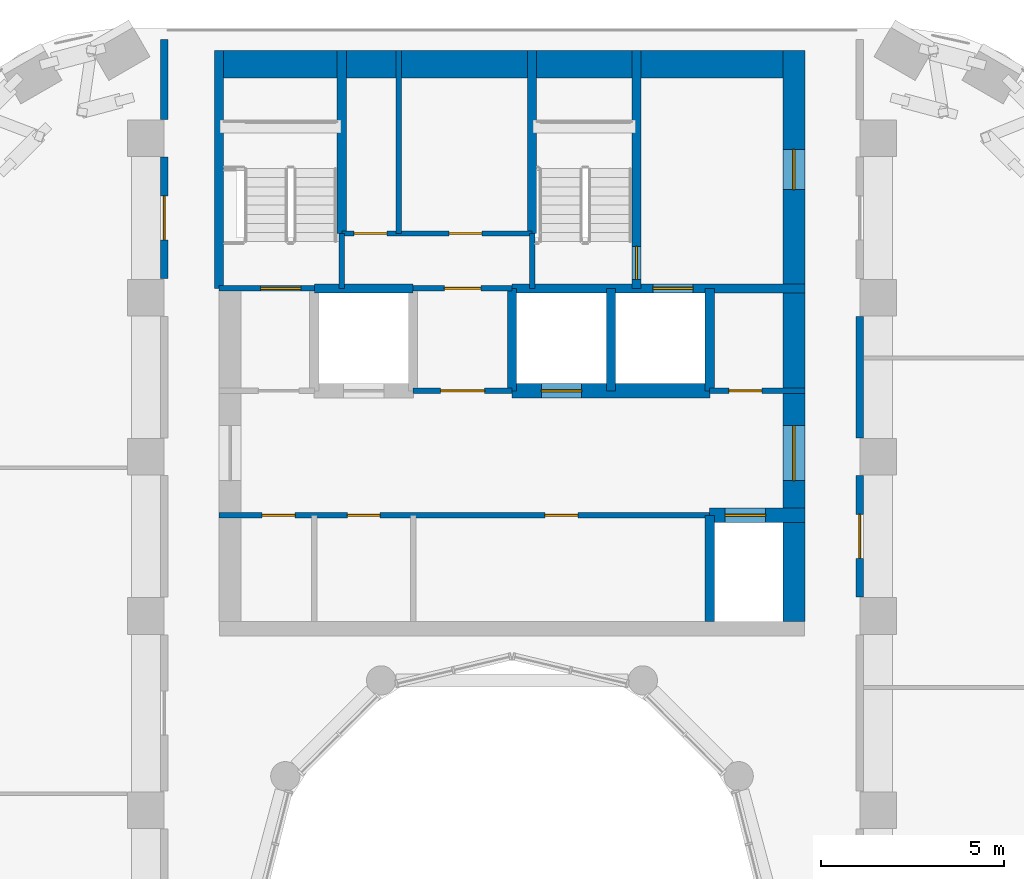
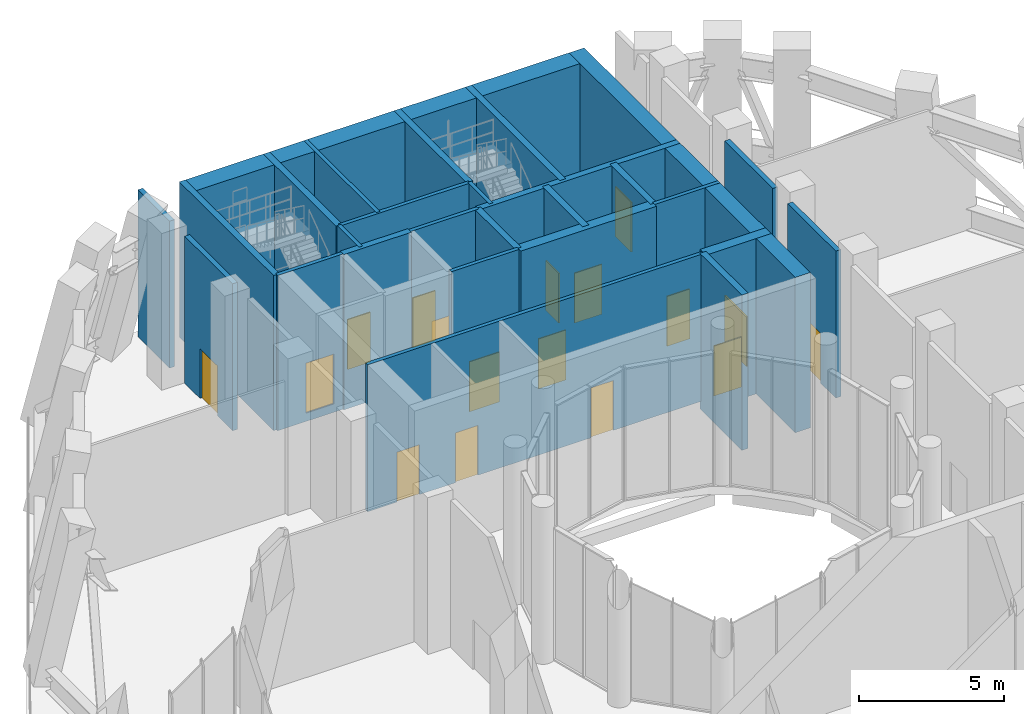
# One storey, part 10 of 19: 27 walls, 17 doors, 17 openings.
"""IFC4 building model written with IfcOpenShell, lengths in metres."""

from ifc_helpers import new_model, si_unit, direction, frame, frame_2d, origin, place, context, subcontext, project, spatial, rectangle, extrude, material, layer, layer_set, type_object, element, fill, save


model = new_model("IFC4")

# Units and contexts
model_context = context("Model", 3, precision=1e-05, world=origin(), true_north=direction((0.0, 1.0)))
body_context = subcontext(model_context, "Body", "Model", "MODEL_VIEW")
ifc_project = project(units=[si_unit("LENGTHUNIT", "METRE"), si_unit("AREAUNIT", "SQUARE_METRE"), si_unit("VOLUMEUNIT", "CUBIC_METRE"), si_unit("PLANEANGLEUNIT", "RADIAN"), si_unit("MASSUNIT", "GRAM", prefix="KILO")], contexts=[model_context])

# Site, building, storey
site_placement = place(None, origin())
site = spatial("IfcSite", under=ifc_project, at=site_placement, CompositionType="ELEMENT")
building_placement = place(site_placement, origin())
building = spatial("IfcBuilding", under=site, at=building_placement, Name="Nakaniwa Court", CompositionType="ELEMENT")
storey_placement = place(building_placement, frame((0.0, 0.0, 170.10009765625)))
storey = spatial("IfcBuildingStorey", under=building, at=storey_placement, Name="S3", CompositionType="ELEMENT", Elevation=170.10009765625)

# Wall, opening, door
ifc_material_1 = material(Name="Acoustic double stud partition")
ifc_layer_1 = layer(ifc_material_1, 0.199951171875)
ifc_layer_set_1 = layer_set([ifc_layer_1], Name="Acoustic double stud partition")
wall_type_1 = type_object("IfcWallType", Name="Acoustic double stud partition 200", PredefinedType="PARTITIONING", material=ifc_layer_set_1)
wall_1_placement = place(storey_placement, frame((89.5, 91.782958984375, 0.0), z_axis=(0.0, 0.0, 1.0), x_axis=(0.0, -1.0, 0.0)))
wall_1 = element("IfcWall", 1, at=wall_1_placement, inside=storey, type_object=wall_type_1, Name="Partition PW-066", PredefinedType="PARTITIONING", context=body_context, shape_type="SweptSolid", body=[
    extrude(rectangle(XDim=3.31591796875, YDim=0.199951171875, at=frame_2d((1.657958984375, 0.0))), origin(), (0.0, 0.0, 1.0), 6.18994140625),
])
opening_1_placement = place(wall_1_placement, frame((1.05810546875, 0.0, 0.0)))
opening_1 = element("IfcOpeningElement", 2, at=opening_1_placement, cuts=wall_1, Name="Opening D-35-02", PredefinedType="OPENING", context=body_context, shape_type="SweptSolid", body=[
    extrude(rectangle(XDim=1.199951171875, YDim=2.10009765625, at=frame_2d((0.60009765625, 1.050048828125))), frame((0.0, 0.10986328125, 0.0), z_axis=(0.0, -1.0, 0.0), x_axis=(1.0, 0.0, 0.0)), (0.0, 0.0, 1.0), 0.219970703125),
])
ifc_material_2 = material(Name="Fire rated steel door set", Category="steel")
door_type_1 = type_object("IfcDoorType", Name="Service room door 1200", OperationType="NOTDEFINED", PredefinedType="DOOR", material=ifc_material_2)
door_1_placement = place(opening_1_placement, origin())
door_1 = element("IfcDoor", 3, at=door_1_placement, inside=storey, type_object=door_type_1, Name="Door D-35-02 S3-026", OperationType="SINGLE_SWING_LEFT", OverallHeight=2.10009765625, OverallWidth=1.199951171875, PredefinedType="DOOR", context=body_context, shape_type="SweptSolid", body=[
    extrude(rectangle(XDim=1.199951171875, YDim=2.10009765625, at=frame_2d((0.60009765625, 1.050048828125))), frame((0.0, 0.02490234375, 0.0), z_axis=(0.0, -1.0, 0.0), x_axis=(1.0, 0.0, 0.0)), (0.0, 0.0, 1.0), 0.050048828125),
])
fill(opening_1, door_1)

# Wall
wall_2_placement = place(storey_placement, frame((89.5, 92.81689453125, 0.0), z_axis=(0.0, 0.0, 1.0), x_axis=(0.0, 1.0, 0.0)))
element("IfcWall", 4, at=wall_2_placement, inside=storey, type_object=wall_type_1, Name="Partition PW-067", PredefinedType="PARTITIONING", context=body_context, shape_type="SweptSolid", body=[
    extrude(rectangle(XDim=3.316162109375, YDim=0.199951171875, at=frame_2d((1.658203125, 0.0))), origin(), (0.0, 0.0, 1.0), 6.18994140625),
])

# Wall, opening, door
wall_3_placement = place(storey_placement, frame((70.5, 97.1669921875, 0.0), z_axis=(0.0, 0.0, 1.0), x_axis=(0.0, 1.0, 0.0)))
wall_3 = element("IfcWall", 5, at=wall_3_placement, inside=storey, type_object=wall_type_1, Name="Partition PW-083", PredefinedType="PARTITIONING", context=body_context, shape_type="SweptSolid", body=[
    extrude(rectangle(XDim=3.31591796875, YDim=0.199951171875, at=frame_2d((1.657958984375, 0.0))), origin(), (0.0, 0.0, 1.0), 6.18994140625),
])
opening_2_placement = place(wall_3_placement, frame((1.05810546875, 0.0, 0.0)))
opening_2 = element("IfcOpeningElement", 6, at=opening_2_placement, cuts=wall_3, Name="Opening D-35-05", PredefinedType="OPENING", context=body_context, shape_type="SweptSolid", body=[
    extrude(rectangle(XDim=1.199951171875, YDim=2.10009765625, at=frame_2d((0.60009765625, 1.050048828125))), frame((0.0, 0.10986328125, 0.0), z_axis=(0.0, -1.0, 0.0), x_axis=(1.0, 0.0, 0.0)), (0.0, 0.0, 1.0), 0.219970703125),
])
door_2_placement = place(opening_2_placement, origin())
door_2 = element("IfcDoor", 7, at=door_2_placement, inside=storey, type_object=door_type_1, Name="Door D-35-05 S3-032", OperationType="SINGLE_SWING_LEFT", OverallHeight=2.10009765625, OverallWidth=1.199951171875, PredefinedType="DOOR", context=body_context, shape_type="SweptSolid", body=[
    extrude(rectangle(XDim=1.199951171875, YDim=2.10009765625, at=frame_2d((0.60009765625, 1.050048828125))), frame((0.0, 0.02490234375, 0.0), z_axis=(0.0, -1.0, 0.0), x_axis=(1.0, 0.0, 0.0)), (0.0, 0.0, 1.0), 0.050048828125),
])
fill(opening_2, door_2)

# Wall
wall_4_placement = place(storey_placement, frame((70.5, 101.51708984375, 0.0), z_axis=(0.0, 0.0, 1.0), x_axis=(0.0, 1.0, 0.0)))
element("IfcWall", 8, at=wall_4_placement, inside=storey, type_object=wall_type_1, Name="Partition PW-084", PredefinedType="PARTITIONING", context=body_context, shape_type="SweptSolid", body=[
    extrude(rectangle(XDim=2.182861328125, YDim=0.199951171875, at=frame_2d((1.09130859375, 0.0))), origin(), (0.0, 0.0, 1.0), 6.18994140625),
])

# Wall, openings, doors
ifc_material_3 = material(Name="Blockwork partition", Category="masonry")
ifc_layer_2 = layer(ifc_material_3, 0.14990234375)
ifc_layer_set_2 = layer_set([ifc_layer_2], Name="Blockwork partition")
wall_type_2 = type_object("IfcWallType", Name="Blockwork partition 150", PredefinedType="PARTITIONING", material=ifc_layer_set_2)
wall_5_placement = place(storey_placement, frame((85.39990234375, 90.699951171875, 0.0), z_axis=(0.0, 0.0, 1.0), x_axis=(-1.0, 0.0, 0.0)))
wall_5 = element("IfcWall", 9, at=wall_5_placement, inside=storey, type_object=wall_type_2, Name="Partition PW-002", PredefinedType="PARTITIONING", context=body_context, shape_type="SweptSolid", body=[
    extrude(rectangle(XDim=13.39990234375, YDim=0.14990234375, at=frame_2d((6.699951171875, 0.0))), origin(), (0.0, 0.0, 1.0), 6.18994140625),
])
opening_3_placement = place(wall_5_placement, frame((11.324951171875, 0.0, 0.0)))
opening_3 = element("IfcOpeningElement", 10, at=opening_3_placement, cuts=wall_5, Name="Opening D-05-01", PredefinedType="OPENING", context=body_context, shape_type="SweptSolid", body=[
    extrude(rectangle(XDim=0.89990234375, YDim=2.10009765625, at=frame_2d((0.449951171875, 1.050048828125))), frame((0.0, 0.0849609375, 0.0), z_axis=(0.0, -1.0, 0.0), x_axis=(1.0, 0.0, 0.0)), (0.0, 0.0, 1.0), 0.169921875),
])
opening_4_placement = place(wall_5_placement, frame((9.0, 0.0, 0.0)))
opening_4 = element("IfcOpeningElement", 11, at=opening_4_placement, cuts=wall_5, Name="Opening D-05-02", PredefinedType="OPENING", context=body_context, shape_type="SweptSolid", body=[
    extrude(rectangle(XDim=0.89990234375, YDim=2.10009765625, at=frame_2d((0.449951171875, 1.050048828125))), frame((0.0, 0.0849609375, 0.0), z_axis=(0.0, -1.0, 0.0), x_axis=(1.0, 0.0, 0.0)), (0.0, 0.0, 1.0), 0.169921875),
])
opening_5_placement = place(wall_5_placement, frame((3.60009765625, 0.0, 0.0)))
opening_5 = element("IfcOpeningElement", 12, at=opening_5_placement, cuts=wall_5, Name="Opening D-05-03", PredefinedType="OPENING", context=body_context, shape_type="SweptSolid", body=[
    extrude(rectangle(XDim=0.89990234375, YDim=2.10009765625, at=frame_2d((0.449951171875, 1.050048828125))), frame((0.0, 0.0849609375, 0.0), z_axis=(0.0, -1.0, 0.0), x_axis=(1.0, 0.0, 0.0)), (0.0, 0.0, 1.0), 0.169921875),
])
door_type_2 = type_object("IfcDoorType", Name="Service room door 900", OperationType="NOTDEFINED", PredefinedType="DOOR", material=ifc_material_2)
door_3_placement = place(opening_3_placement, origin())
door_3 = element("IfcDoor", 13, at=door_3_placement, inside=storey, type_object=door_type_2, Name="Door D-05-01 S3-001", OperationType="SINGLE_SWING_RIGHT", OverallHeight=2.10009765625, OverallWidth=0.89990234375, PredefinedType="DOOR", context=body_context, shape_type="SweptSolid", body=[
    extrude(rectangle(XDim=0.89990234375, YDim=2.10009765625, at=frame_2d((0.449951171875, 1.050048828125))), frame((0.0, 0.02490234375, 0.0), z_axis=(0.0, -1.0, 0.0), x_axis=(1.0, 0.0, 0.0)), (0.0, 0.0, 1.0), 0.050048828125),
])
fill(opening_3, door_3)
door_4_placement = place(opening_4_placement, origin())
door_4 = element("IfcDoor", 14, at=door_4_placement, inside=storey, type_object=door_type_2, Name="Door D-05-02 S3-002", OperationType="SINGLE_SWING_LEFT", OverallHeight=2.10009765625, OverallWidth=0.89990234375, PredefinedType="DOOR", context=body_context, shape_type="SweptSolid", body=[
    extrude(rectangle(XDim=0.89990234375, YDim=2.10009765625, at=frame_2d((0.449951171875, 1.050048828125))), frame((0.0, 0.02490234375, 0.0), z_axis=(0.0, -1.0, 0.0), x_axis=(1.0, 0.0, 0.0)), (0.0, 0.0, 1.0), 0.050048828125),
])
fill(opening_4, door_4)
door_5_placement = place(opening_5_placement, origin())
door_5 = element("IfcDoor", 15, at=door_5_placement, inside=storey, type_object=door_type_2, Name="Door D-05-03 S3-003", OperationType="SINGLE_SWING_RIGHT", OverallHeight=2.10009765625, OverallWidth=0.89990234375, PredefinedType="DOOR", context=body_context, shape_type="SweptSolid", body=[
    extrude(rectangle(XDim=0.89990234375, YDim=2.10009765625, at=frame_2d((0.449951171875, 1.050048828125))), frame((0.0, 0.02490234375, 0.0), z_axis=(0.0, -1.0, 0.0), x_axis=(1.0, 0.0, 0.0)), (0.0, 0.0, 1.0), 0.050048828125),
])
fill(opening_5, door_5)

# Wall, opening, door
wall_6_placement = place(storey_placement, frame((77.297119140625, 94.10009765625, 0.0), z_axis=(0.0, 0.0, 1.0), x_axis=(1.0, 0.0, 0.0)))
wall_6 = element("IfcWall", 16, at=wall_6_placement, inside=storey, type_object=wall_type_2, Name="Partition PW-010", PredefinedType="PARTITIONING", context=body_context, shape_type="SweptSolid", body=[
    extrude(rectangle(XDim=2.705810546875, YDim=0.14990234375, at=frame_2d((1.35302734375, 0.0))), origin(), (0.0, 0.0, 1.0), 6.18994140625),
])
opening_6_placement = place(wall_6_placement, frame((0.7529296875, 0.0, 0.0)))
opening_6 = element("IfcOpeningElement", 17, at=opening_6_placement, cuts=wall_6, Name="Opening D-06-01", PredefinedType="OPENING", context=body_context, shape_type="SweptSolid", body=[
    extrude(rectangle(XDim=1.199951171875, YDim=2.10009765625, at=frame_2d((0.60009765625, 1.050048828125))), frame((0.0, 0.0849609375, 0.0), z_axis=(0.0, -1.0, 0.0), x_axis=(1.0, 0.0, 0.0)), (0.0, 0.0, 1.0), 0.169921875),
])
ifc_material_4 = material(Name="Fire rated steel double door set", Category="steel")
door_type_3 = type_object("IfcDoorType", Name="Service passage double door 1200", OperationType="NOTDEFINED", PredefinedType="DOOR", material=ifc_material_4)
door_6_placement = place(opening_6_placement, origin())
door_6 = element("IfcDoor", 18, at=door_6_placement, inside=storey, type_object=door_type_3, Name="Door D-06-01 S3-005", OperationType="DOUBLE_DOOR_SINGLE_SWING", OverallHeight=2.10009765625, OverallWidth=1.199951171875, PredefinedType="DOOR", context=body_context, shape_type="SweptSolid", body=[
    extrude(rectangle(XDim=1.199951171875, YDim=2.10009765625, at=frame_2d((0.60009765625, 1.050048828125))), frame((0.0, 0.02490234375, 0.0), z_axis=(0.0, -1.0, 0.0), x_axis=(1.0, 0.0, 0.0)), (0.0, 0.0, 1.0), 0.050048828125),
])
fill(opening_6, door_6)

wall_7_placement = place(storey_placement, frame((85.39697265625, 94.10009765625, 0.0), z_axis=(0.0, 0.0, 1.0), x_axis=(1.0, 0.0, 0.0)))
wall_7 = element("IfcWall", 19, at=wall_7_placement, inside=storey, type_object=wall_type_2, Name="Partition PW-011", PredefinedType="PARTITIONING", context=body_context, shape_type="SweptSolid", body=[
    extrude(rectangle(XDim=2.60302734375, YDim=0.14990234375, at=frame_2d((1.301513671875, 0.0))), origin(), (0.0, 0.0, 1.0), 6.18994140625),
])
opening_7_placement = place(wall_7_placement, frame((0.528076171875, 0.0, 0.0)))
opening_7 = element("IfcOpeningElement", 20, at=opening_7_placement, cuts=wall_7, Name="Opening D-05-04", PredefinedType="OPENING", context=body_context, shape_type="SweptSolid", body=[
    extrude(rectangle(XDim=0.89990234375, YDim=2.10009765625, at=frame_2d((0.449951171875, 1.050048828125))), frame((0.0, 0.0849609375, 0.0), z_axis=(0.0, -1.0, 0.0), x_axis=(1.0, 0.0, 0.0)), (0.0, 0.0, 1.0), 0.169921875),
])
door_7_placement = place(opening_7_placement, origin())
door_7 = element("IfcDoor", 21, at=door_7_placement, inside=storey, type_object=door_type_2, Name="Door D-05-04 S3-006", OperationType="SINGLE_SWING_LEFT", OverallHeight=2.10009765625, OverallWidth=0.89990234375, PredefinedType="DOOR", context=body_context, shape_type="SweptSolid", body=[
    extrude(rectangle(XDim=0.89990234375, YDim=2.10009765625, at=frame_2d((0.449951171875, 1.050048828125))), frame((0.0, 0.02490234375, 0.0), z_axis=(0.0, -1.0, 0.0), x_axis=(1.0, 0.0, 0.0)), (0.0, 0.0, 1.0), 0.050048828125),
])
fill(opening_7, door_7)

wall_8_placement = place(storey_placement, frame((77.300048828125, 96.89990234375, 0.0), z_axis=(0.0, 0.0, 1.0), x_axis=(1.0, 0.0, 0.0)))
wall_8 = element("IfcWall", 22, at=wall_8_placement, inside=storey, type_object=wall_type_2, Name="Partition PW-020", PredefinedType="PARTITIONING", context=body_context, shape_type="SweptSolid", body=[
    extrude(rectangle(XDim=2.699951171875, YDim=0.14990234375, at=frame_2d((1.35009765625, 0.0))), origin(), (0.0, 0.0, 1.0), 6.18994140625),
])
opening_8_placement = place(wall_8_placement, frame((0.85009765625, 0.0, 0.0)))
opening_8 = element("IfcOpeningElement", 23, at=opening_8_placement, cuts=wall_8, Name="Opening D-23-01", PredefinedType="OPENING", context=body_context, shape_type="SweptSolid", body=[
    extrude(rectangle(XDim=1.0, YDim=2.10009765625, at=frame_2d((0.5, 1.050048828125))), frame((0.0, 0.0849609375, 0.0), z_axis=(0.0, -1.0, 0.0), x_axis=(1.0, 0.0, 0.0)), (0.0, 0.0, 1.0), 0.169921875),
])
door_type_4 = type_object("IfcDoorType", Name="Service room door 1000", OperationType="NOTDEFINED", PredefinedType="DOOR", material=ifc_material_2)
door_8_placement = place(opening_8_placement, origin())
door_8 = element("IfcDoor", 24, at=door_8_placement, inside=storey, type_object=door_type_4, Name="Door D-23-01 S3-007", OperationType="SINGLE_SWING_RIGHT", OverallHeight=2.10009765625, OverallWidth=1.0, PredefinedType="DOOR", context=body_context, shape_type="SweptSolid", body=[
    extrude(rectangle(XDim=1.0, YDim=2.10009765625, at=frame_2d((0.5, 1.050048828125))), frame((0.0, 0.02490234375, 0.0), z_axis=(0.0, -1.0, 0.0), x_axis=(1.0, 0.0, 0.0)), (0.0, 0.0, 1.0), 0.050048828125),
])
fill(opening_8, door_8)

# Wall, openings, doors
wall_9_placement = place(storey_placement, frame((75.35009765625, 98.39990234375, 0.0), z_axis=(0.0, 0.0, 1.0), x_axis=(1.0, 0.0, 0.0)))
wall_9 = element("IfcWall", 25, at=wall_9_placement, inside=storey, type_object=wall_type_2, Name="Partition PW-028", PredefinedType="PARTITIONING", context=body_context, shape_type="SweptSolid", body=[
    extrude(rectangle(XDim=5.199951171875, YDim=0.14990234375, at=frame_2d((2.60009765625, 0.0))), origin(), (0.0, 0.0, 1.0), 6.18994140625),
])
opening_9_placement = place(wall_9_placement, frame((0.330078125, 0.0, 0.0)))
opening_9 = element("IfcOpeningElement", 26, at=opening_9_placement, cuts=wall_9, Name="Opening D-05-05", PredefinedType="OPENING", context=body_context, shape_type="SweptSolid", body=[
    extrude(rectangle(XDim=0.89990234375, YDim=2.10009765625, at=frame_2d((0.449951171875, 1.050048828125))), frame((0.0, 0.0849609375, 0.0), z_axis=(0.0, -1.0, 0.0), x_axis=(1.0, 0.0, 0.0)), (0.0, 0.0, 1.0), 0.169921875),
])
opening_10_placement = place(wall_9_placement, frame((2.929931640625, 0.0, 0.0)))
opening_10 = element("IfcOpeningElement", 27, at=opening_10_placement, cuts=wall_9, Name="Opening D-05-06", PredefinedType="OPENING", context=body_context, shape_type="SweptSolid", body=[
    extrude(rectangle(XDim=0.89990234375, YDim=2.10009765625, at=frame_2d((0.449951171875, 1.050048828125))), frame((0.0, 0.0849609375, 0.0), z_axis=(0.0, -1.0, 0.0), x_axis=(1.0, 0.0, 0.0)), (0.0, 0.0, 1.0), 0.169921875),
])
door_9_placement = place(opening_9_placement, origin())
door_9 = element("IfcDoor", 28, at=door_9_placement, inside=storey, type_object=door_type_2, Name="Door D-05-05 S3-008", OperationType="SINGLE_SWING_LEFT", OverallHeight=2.10009765625, OverallWidth=0.89990234375, PredefinedType="DOOR", context=body_context, shape_type="SweptSolid", body=[
    extrude(rectangle(XDim=0.89990234375, YDim=2.10009765625, at=frame_2d((0.449951171875, 1.050048828125))), frame((0.0, 0.02490234375, 0.0), z_axis=(0.0, -1.0, 0.0), x_axis=(1.0, 0.0, 0.0)), (0.0, 0.0, 1.0), 0.050048828125),
])
fill(opening_9, door_9)
door_10_placement = place(opening_10_placement, origin())
door_10 = element("IfcDoor", 29, at=door_10_placement, inside=storey, type_object=door_type_2, Name="Door D-05-06 S3-009", OperationType="SINGLE_SWING_RIGHT", OverallHeight=2.10009765625, OverallWidth=0.89990234375, PredefinedType="DOOR", context=body_context, shape_type="SweptSolid", body=[
    extrude(rectangle(XDim=0.89990234375, YDim=2.10009765625, at=frame_2d((0.449951171875, 1.050048828125))), frame((0.0, 0.02490234375, 0.0), z_axis=(0.0, -1.0, 0.0), x_axis=(1.0, 0.0, 0.0)), (0.0, 0.0, 1.0), 0.050048828125),
])
fill(opening_10, door_10)

# Wall
wall_10_placement = place(storey_placement, frame((76.909912109375, 98.39990234375, 0.0), z_axis=(0.0, 0.0, 1.0), x_axis=(0.0, 1.0, 0.0)))
element("IfcWall", 30, at=wall_10_placement, inside=storey, type_object=wall_type_2, Name="Partition PW-029", PredefinedType="PARTITIONING", context=body_context, shape_type="SweptSolid", body=[
    extrude(rectangle(XDim=5.0, YDim=0.14990234375, at=frame_2d((2.5, 0.0))), origin(), (0.0, 0.0, 1.0), 6.18994140625),
])

# Wall, openings, doors
ifc_material_5 = material(Name="Concrete C80/100", Category="concrete")
ifc_layer_3 = layer(ifc_material_5, 0.60009765625)
ifc_layer_set_3 = layer_set([ifc_layer_3], Name="Concrete C80/100")
wall_type_3 = type_object("IfcWallType", Name="Concrete core side wall 600 C80", PredefinedType="SHEAR", material=ifc_layer_set_3)
wall_11_placement = place(storey_placement, frame((87.699951171875, 103.39990234375, -0.35009765625), z_axis=(0.0, 0.0, 1.0), x_axis=(0.0, -1.0, 0.0)))
wall_11 = element("IfcWall", 31, at=wall_11_placement, inside=storey, type_object=wall_type_3, Name="Core wall SW-07", PredefinedType="SHEAR", context=body_context, shape_type="SweptSolid", body=[
    extrude(rectangle(XDim=15.599853515625, YDim=0.60009765625, at=frame_2d((7.7998046875, 0.0))), origin(), (0.0, 0.0, 1.0), 6.5400390625),
])
opening_11_placement = place(wall_11_placement, frame((10.25, 0.0, 0.35009765625)))
opening_11 = element("IfcOpeningElement", 32, at=opening_11_placement, cuts=wall_11, Name="Opening D-07-01", PredefinedType="OPENING", context=body_context, shape_type="SweptSolid", body=[
    extrude(rectangle(XDim=1.5, YDim=2.10009765625, at=frame_2d((0.75, 1.050048828125))), frame((0.0, 0.31005859375, 0.0), z_axis=(0.0, -1.0, 0.0), x_axis=(1.0, 0.0, 0.0)), (0.0, 0.0, 1.0), 0.6201171875),
])
opening_12_placement = place(wall_11_placement, frame((2.699951171875, 0.0, 0.35009765625)))
opening_12 = element("IfcOpeningElement", 33, at=opening_12_placement, cuts=wall_11, Name="Opening D-10-01", PredefinedType="OPENING", context=body_context, shape_type="SweptSolid", body=[
    extrude(rectangle(XDim=1.10009765625, YDim=2.10009765625, at=frame_2d((0.550048828125, 1.050048828125))), frame((0.0, 0.31005859375, 0.0), z_axis=(0.0, -1.0, 0.0), x_axis=(1.0, 0.0, 0.0)), (0.0, 0.0, 1.0), 0.6201171875),
])
door_type_5 = type_object("IfcDoorType", Name="Firefighting lobby door 1100", OperationType="NOTDEFINED", PredefinedType="DOOR", material=ifc_material_2)
door_11_placement = place(opening_12_placement, origin())
door_11 = element("IfcDoor", 34, at=door_11_placement, inside=storey, type_object=door_type_5, Name="Door D-10-01 S3-035", OperationType="SINGLE_SWING_RIGHT", OverallHeight=2.10009765625, OverallWidth=1.10009765625, PredefinedType="DOOR", context=body_context, shape_type="SweptSolid", body=[
    extrude(rectangle(XDim=1.10009765625, YDim=2.10009765625, at=frame_2d((0.550048828125, 1.050048828125))), frame((0.0, 0.02490234375, 0.0), z_axis=(0.0, -1.0, 0.0), x_axis=(1.0, 0.0, 0.0)), (0.0, 0.0, 1.0), 0.050048828125),
])
fill(opening_12, door_11)
ifc_material_6 = material(Name="Glazed fire rated steel double door set", Category="steel")
door_type_6 = type_object("IfcDoorType", Name="Lobby double door 1500", OperationType="NOTDEFINED", PredefinedType="DOOR", material=ifc_material_6)
door_12_placement = place(opening_11_placement, origin())
door_12 = element("IfcDoor", 35, at=door_12_placement, inside=storey, type_object=door_type_6, Name="Door D-07-01 S3-033", OperationType="DOUBLE_DOOR_SINGLE_SWING", OverallHeight=2.10009765625, OverallWidth=1.5, PredefinedType="DOOR", context=body_context, shape_type="SweptSolid", body=[
    extrude(rectangle(XDim=1.5, YDim=2.10009765625, at=frame_2d((0.75, 1.050048828125))), frame((0.0, 0.02490234375, 0.0), z_axis=(0.0, -1.0, 0.0), x_axis=(1.0, 0.0, 0.0)), (0.0, 0.0, 1.0), 0.050048828125),
])
fill(opening_11, door_12)

# Wall, opening, door
ifc_layer_4 = layer(ifc_material_5, 0.39990234375)
ifc_layer_set_4 = layer_set([ifc_layer_4], Name="Concrete C80/100")
wall_type_4 = type_object("IfcWallType", Name="Concrete core spine wall 400 C80", PredefinedType="SHEAR", material=ifc_layer_set_4)
wall_12_placement = place(storey_placement, frame((85.39990234375, 90.699951171875, -0.35009765625), z_axis=(0.0, 0.0, 1.0), x_axis=(1.0, 0.0, 0.0)))
wall_12 = element("IfcWall", 36, at=wall_12_placement, inside=storey, type_object=wall_type_4, Name="Core wall SW-06", PredefinedType="SHEAR", context=body_context, shape_type="SweptSolid", body=[
    extrude(rectangle(XDim=2.60009765625, YDim=0.39990234375, at=frame_2d((1.300048828125, 0.0))), origin(), (0.0, 0.0, 1.0), 6.5400390625),
])
opening_13_placement = place(wall_12_placement, frame((0.425048828125, 0.0, 0.35009765625)))
opening_13 = element("IfcOpeningElement", 37, at=opening_13_placement, cuts=wall_12, Name="Opening LD01", PredefinedType="OPENING", context=body_context, shape_type="SweptSolid", body=[
    extrude(rectangle(XDim=1.10009765625, YDim=2.10009765625, at=frame_2d((0.550048828125, 1.050048828125))), frame((0.0, 0.2099609375, 0.0), z_axis=(0.0, -1.0, 0.0), x_axis=(1.0, 0.0, 0.0)), (0.0, 0.0, 1.0), 0.419921875),
])
ifc_material_7 = material(Name="Stainless steel sliding lift landing door", Category="steel")
door_type_7 = type_object("IfcDoorType", Name="Lift landing door 1100", OperationType="NOTDEFINED", PredefinedType="DOOR", material=ifc_material_7)
door_13_placement = place(opening_13_placement, origin())
door_13 = element("IfcDoor", 38, at=door_13_placement, inside=storey, type_object=door_type_7, Name="Lift landing door LD01 S3-001", OperationType="SLIDING_TO_LEFT", OverallHeight=2.10009765625, OverallWidth=1.10009765625, PredefinedType="DOOR", context=body_context, shape_type="SweptSolid", body=[
    extrude(rectangle(XDim=1.10009765625, YDim=2.10009765625, at=frame_2d((0.550048828125, 1.050048828125))), frame((0.0, 0.02490234375, 0.0), z_axis=(0.0, -1.0, 0.0), x_axis=(1.0, 0.0, 0.0)), (0.0, 0.0, 1.0), 0.050048828125),
])
fill(opening_13, door_13)

wall_13_placement = place(storey_placement, frame((79.9970703125, 94.10009765625, -0.35009765625), z_axis=(0.0, 0.0, 1.0), x_axis=(1.0, 0.0, 0.0)))
wall_13 = element("IfcWall", 39, at=wall_13_placement, inside=storey, type_object=wall_type_4, Name="Core wall SW-13", PredefinedType="SHEAR", context=body_context, shape_type="SweptSolid", body=[
    extrude(rectangle(XDim=5.406005859375, YDim=0.39990234375, at=frame_2d((2.703125, 0.0))), origin(), (0.0, 0.0, 1.0), 6.5400390625),
])
opening_14_placement = place(wall_13_placement, frame((0.802978515625, 0.0, 0.35009765625)))
opening_14 = element("IfcOpeningElement", 40, at=opening_14_placement, cuts=wall_13, Name="Opening LD03", PredefinedType="OPENING", context=body_context, shape_type="SweptSolid", body=[
    extrude(rectangle(XDim=1.10009765625, YDim=2.10009765625, at=frame_2d((0.550048828125, 1.050048828125))), frame((0.0, 0.2099609375, 0.0), z_axis=(0.0, -1.0, 0.0), x_axis=(1.0, 0.0, 0.0)), (0.0, 0.0, 1.0), 0.419921875),
])
door_14_placement = place(opening_14_placement, origin())
door_14 = element("IfcDoor", 41, at=door_14_placement, inside=storey, type_object=door_type_7, Name="Lift landing door LD03 S3-003", OperationType="SLIDING_TO_LEFT", OverallHeight=2.10009765625, OverallWidth=1.10009765625, PredefinedType="DOOR", context=body_context, shape_type="SweptSolid", body=[
    extrude(rectangle(XDim=1.10009765625, YDim=2.10009765625, at=frame_2d((0.550048828125, 1.050048828125))), frame((0.0, 0.02490234375, 0.0), z_axis=(0.0, -1.0, 0.0), x_axis=(1.0, 0.0, 0.0)), (0.0, 0.0, 1.0), 0.050048828125),
])
fill(opening_14, door_14)

ifc_layer_5 = layer(ifc_material_5, 0.14990234375)
ifc_layer_set_5 = layer_set([ifc_layer_5], Name="Concrete C80/100")
wall_type_5 = type_object("IfcWallType", Name="Concrete core wall 150 C80", PredefinedType="SHEAR", material=ifc_layer_set_5)
wall_14_placement = place(storey_placement, frame((74.60009765625, 96.89990234375, -0.35009765625), z_axis=(0.0, 0.0, 1.0), x_axis=(-1.0, 0.0, 0.0)))
wall_14 = element("IfcWall", 42, at=wall_14_placement, inside=storey, type_object=wall_type_5, Name="Core wall SW-15", PredefinedType="SHEAR", context=body_context, shape_type="SweptSolid", body=[
    extrude(rectangle(XDim=2.60009765625, YDim=0.14990234375, at=frame_2d((1.300048828125, 0.0))), origin(), (0.0, 0.0, 1.0), 6.5400390625),
])
opening_15_placement = place(wall_14_placement, frame((0.3701171875, 0.0, 0.35009765625)))
opening_15 = element("IfcOpeningElement", 43, at=opening_15_placement, cuts=wall_14, Name="Opening D-09-01", PredefinedType="OPENING", context=body_context, shape_type="SweptSolid", body=[
    extrude(rectangle(XDim=1.10009765625, YDim=2.10009765625, at=frame_2d((0.550048828125, 1.050048828125))), frame((0.0, 0.0849609375, 0.0), z_axis=(0.0, -1.0, 0.0), x_axis=(1.0, 0.0, 0.0)), (0.0, 0.0, 1.0), 0.169921875),
])
door_type_8 = type_object("IfcDoorType", Name="Stair door 1100", OperationType="NOTDEFINED", PredefinedType="DOOR", material=ifc_material_2)
door_15_placement = place(opening_15_placement, origin())
door_15 = element("IfcDoor", 44, at=door_15_placement, inside=storey, type_object=door_type_8, Name="Door D-09-01 S3-010", OperationType="SINGLE_SWING_RIGHT", OverallHeight=2.10009765625, OverallWidth=1.10009765625, PredefinedType="DOOR", context=body_context, shape_type="SweptSolid", body=[
    extrude(rectangle(XDim=1.10009765625, YDim=2.10009765625, at=frame_2d((0.550048828125, 1.050048828125))), frame((0.0, 0.02490234375, 0.0), z_axis=(0.0, -1.0, 0.0), x_axis=(1.0, 0.0, 0.0)), (0.0, 0.0, 1.0), 0.050048828125),
])
fill(opening_15, door_15)

# Walls
for number, where, z_axis, x_axis, name in (
    (45, (75.35009765625, 96.89990234375, -0.35009765625), (0.0, 0.0, 1.0), (0.0, 1.0, 0.0), "Core wall SW-22"),
    (46, (80.550048828125, 96.89990234375, -0.35009765625), (0.0, 0.0, 1.0), (0.0, 1.0, 0.0), "Core wall SW-26"),
):
    element("IfcWall", number, at=place(storey_placement, frame(where, z_axis=z_axis, x_axis=x_axis)), inside=storey, type_object=wall_type_5, Name=name, PredefinedType="SHEAR", context=body_context, shape_type="SweptSolid", body=[
        extrude(rectangle(XDim=1.503173828125, YDim=0.14990234375, at=frame_2d((0.75146484375, 0.0))), origin(), (0.0, 0.0, 1.0), 6.5400390625),
    ])
ifc_layer_6 = layer(ifc_material_5, 0.25)
ifc_layer_set_6 = layer_set([ifc_layer_6], Name="Concrete C80/100")
wall_type_6 = type_object("IfcWallType", Name="Concrete core wall 250 C80", PredefinedType="SHEAR", material=ifc_layer_set_6)
wall_15_placement = place(storey_placement, frame((72.0, 96.89990234375, -0.35009765625), z_axis=(0.0, 0.0, 1.0), x_axis=(0.0, 1.0, 0.0)))
element("IfcWall", 47, at=wall_15_placement, inside=storey, type_object=wall_type_6, Name="Core wall SW-24", PredefinedType="SHEAR", context=body_context, shape_type="SweptSolid", body=[
    extrude(rectangle(XDim=6.5, YDim=0.25, at=frame_2d((3.25, 0.0))), origin(), (0.0, 0.0, 1.0), 6.5400390625),
])
ifc_layer_7 = layer(ifc_material_5, 0.75)
ifc_layer_set_7 = layer_set([ifc_layer_7], Name="Concrete C80/100")
wall_type_7 = type_object("IfcWallType", Name="Concrete core wall 750 C80", PredefinedType="SHEAR", material=ifc_layer_set_7)
wall_16_placement = place(storey_placement, frame((72.00390625, 103.02490234375, -0.35009765625), z_axis=(0.0, 0.0, 1.0), x_axis=(1.0, 0.0, 0.0)))
element("IfcWall", 48, at=wall_16_placement, inside=storey, type_object=wall_type_7, Name="Core wall SW-91", PredefinedType="SHEAR", context=body_context, shape_type="SweptSolid", body=[
    extrude(rectangle(XDim=15.9921875, YDim=0.75, at=frame_2d((7.99609375, 0.0))), origin(), (0.0, 0.0, 1.0), 6.5400390625),
])
ifc_layer_8 = layer(ifc_material_5, 0.25)
ifc_layer_set_8 = layer_set([ifc_layer_8], Name="Concrete C80/100")
wall_type_8 = type_object("IfcWallType", Name="Concrete shaft wall 250 C80", PredefinedType="SHEAR", material=ifc_layer_set_8)
wall_17_placement = place(storey_placement, frame((85.39990234375, 87.800048828125, -0.35009765625), z_axis=(0.0, 0.0, 1.0), x_axis=(0.0, 1.0, 0.0)))
element("IfcWall", 49, at=wall_17_placement, inside=storey, type_object=wall_type_8, Name="Core wall SW-04", PredefinedType="SHEAR", context=body_context, shape_type="SweptSolid", body=[
    extrude(rectangle(XDim=2.89990234375, YDim=0.25, at=frame_2d((1.449951171875, 0.0))), origin(), (0.0, 0.0, 1.0), 6.5400390625),
])
wall_18_placement = place(storey_placement, frame((85.39990234375, 94.10009765625, -0.35009765625), z_axis=(0.0, 0.0, 1.0), x_axis=(0.0, 1.0, 0.0)))
element("IfcWall", 50, at=wall_18_placement, inside=storey, type_object=wall_type_8, Name="Core wall SW-05", PredefinedType="SHEAR", context=body_context, shape_type="SweptSolid", body=[
    extrude(rectangle(XDim=2.7998046875, YDim=0.25, at=frame_2d((1.39990234375, 0.0))), origin(), (0.0, 0.0, 1.0), 6.5400390625),
])
wall_19_placement = place(storey_placement, frame((74.60009765625, 96.89990234375, -0.35009765625), z_axis=(0.0, 0.0, 1.0), x_axis=(1.0, 0.0, 0.0)))
element("IfcWall", 51, at=wall_19_placement, inside=storey, type_object=wall_type_8, Name="Core wall SW-17", PredefinedType="SHEAR", context=body_context, shape_type="SweptSolid", body=[
    extrude(rectangle(XDim=2.699951171875, YDim=0.25, at=frame_2d((1.35009765625, 0.0))), origin(), (0.0, 0.0, 1.0), 6.5400390625),
])

# Wall, opening, door
wall_20_placement = place(storey_placement, frame((80.0, 96.89990234375, -0.35009765625), z_axis=(0.0, 0.0, 1.0), x_axis=(1.0, 0.0, 0.0)))
wall_20 = element("IfcWall", 52, at=wall_20_placement, inside=storey, type_object=wall_type_8, Name="Core wall SW-18", PredefinedType="SHEAR", context=body_context, shape_type="SweptSolid", body=[
    extrude(rectangle(XDim=8.0, YDim=0.25, at=frame_2d((4.0, 0.0))), origin(), (0.0, 0.0, 1.0), 6.5400390625),
])
opening_16_placement = place(wall_20_placement, frame((3.84912109375, 0.0, 0.35009765625)))
opening_16 = element("IfcOpeningElement", 53, at=opening_16_placement, cuts=wall_20, Name="Opening LD04", PredefinedType="OPENING", context=body_context, shape_type="SweptSolid", body=[
    extrude(rectangle(XDim=1.10009765625, YDim=2.10009765625, at=frame_2d((0.550048828125, 1.050048828125))), frame((0.0, 0.135009765625, 0.0), z_axis=(0.0, -1.0, 0.0), x_axis=(1.0, 0.0, 0.0)), (0.0, 0.0, 1.0), 0.27001953125),
])
door_16_placement = place(opening_16_placement, origin())
door_16 = element("IfcDoor", 54, at=door_16_placement, inside=storey, type_object=door_type_7, Name="Lift landing door LD04 S3-004", OperationType="SLIDING_TO_LEFT", OverallHeight=2.10009765625, OverallWidth=1.10009765625, PredefinedType="DOOR", context=body_context, shape_type="SweptSolid", body=[
    extrude(rectangle(XDim=1.10009765625, YDim=2.10009765625, at=frame_2d((0.550048828125, 1.050048828125))), frame((0.0, 0.02490234375, 0.0), z_axis=(0.0, -1.0, 0.0), x_axis=(1.0, 0.0, 0.0)), (0.0, 0.0, 1.0), 0.050048828125),
])
fill(opening_16, door_16)

# Walls
for number, where, z_axis, x_axis, name in (
    (55, (80.0, 94.10009765625, -0.35009765625), (0.0, 0.0, 1.0), (0.0, 1.0, 0.0), "Core wall SW-19"),
    (56, (82.699951171875, 94.10009765625, -0.35009765625), (0.0, 0.0, 1.0), (0.0, 1.0, 0.0), "Core wall SW-21"),
):
    element("IfcWall", number, at=place(storey_placement, frame(where, z_axis=z_axis, x_axis=x_axis)), inside=storey, type_object=wall_type_8, Name=name, PredefinedType="SHEAR", context=body_context, shape_type="SweptSolid", body=[
        extrude(rectangle(XDim=2.7998046875, YDim=0.25, at=frame_2d((1.39990234375, 0.0))), origin(), (0.0, 0.0, 1.0), 6.5400390625),
    ])
wall_21_placement = place(storey_placement, frame((75.35009765625, 98.39697265625, -0.35009765625), z_axis=(0.0, 0.0, 1.0), x_axis=(0.0, 1.0, 0.0)))
element("IfcWall", 57, at=wall_21_placement, inside=storey, type_object=wall_type_8, Name="Core wall SW-23", PredefinedType="SHEAR", context=body_context, shape_type="SweptSolid", body=[
    extrude(rectangle(XDim=5.0029296875, YDim=0.25, at=frame_2d((2.50146484375, 0.0))), origin(), (0.0, 0.0, 1.0), 6.5400390625),
])

# Wall, opening, door
wall_22_placement = place(storey_placement, frame((83.39990234375, 103.39990234375, -0.35009765625), z_axis=(0.0, 0.0, 1.0), x_axis=(0.0, -1.0, 0.0)))
wall_22 = element("IfcWall", 58, at=wall_22_placement, inside=storey, type_object=wall_type_8, Name="Core wall SW-25", PredefinedType="SHEAR", context=body_context, shape_type="SweptSolid", body=[
    extrude(rectangle(XDim=6.5, YDim=0.25, at=frame_2d((3.25, 0.0))), origin(), (0.0, 0.0, 1.0), 6.5400390625),
])
opening_17_placement = place(wall_22_placement, frame((5.35009765625, 0.0, 0.35009765625)))
opening_17 = element("IfcOpeningElement", 59, at=opening_17_placement, cuts=wall_22, Name="Opening D-11-01", PredefinedType="OPENING", context=body_context, shape_type="SweptSolid", body=[
    extrude(rectangle(XDim=0.89990234375, YDim=2.10009765625, at=frame_2d((0.449951171875, 1.050048828125))), frame((0.0, 0.135009765625, 0.0), z_axis=(0.0, -1.0, 0.0), x_axis=(1.0, 0.0, 0.0)), (0.0, 0.0, 1.0), 0.27001953125),
])
door_type_9 = type_object("IfcDoorType", Name="Stair door 900", OperationType="NOTDEFINED", PredefinedType="DOOR", material=ifc_material_2)
door_17_placement = place(opening_17_placement, origin())
door_17 = element("IfcDoor", 60, at=door_17_placement, inside=storey, type_object=door_type_9, Name="Door D-11-01 S3-011", OperationType="SINGLE_SWING_LEFT", OverallHeight=2.10009765625, OverallWidth=0.89990234375, PredefinedType="DOOR", context=body_context, shape_type="SweptSolid", body=[
    extrude(rectangle(XDim=0.89990234375, YDim=2.10009765625, at=frame_2d((0.449951171875, 1.050048828125))), frame((0.0, 0.02490234375, 0.0), z_axis=(0.0, -1.0, 0.0), x_axis=(1.0, 0.0, 0.0)), (0.0, 0.0, 1.0), 0.050048828125),
])
fill(opening_17, door_17)

# Wall
wall_23_placement = place(storey_placement, frame((80.550048828125, 98.39697265625, -0.35009765625), z_axis=(0.0, 0.0, 1.0), x_axis=(0.0, 1.0, 0.0)))
element("IfcWall", 61, at=wall_23_placement, inside=storey, type_object=wall_type_8, Name="Core wall SW-27", PredefinedType="SHEAR", context=body_context, shape_type="SweptSolid", body=[
    extrude(rectangle(XDim=5.0029296875, YDim=0.25, at=frame_2d((2.50146484375, 0.0))), origin(), (0.0, 0.0, 1.0), 6.5400390625),
])

save(model, "model.ifc")
